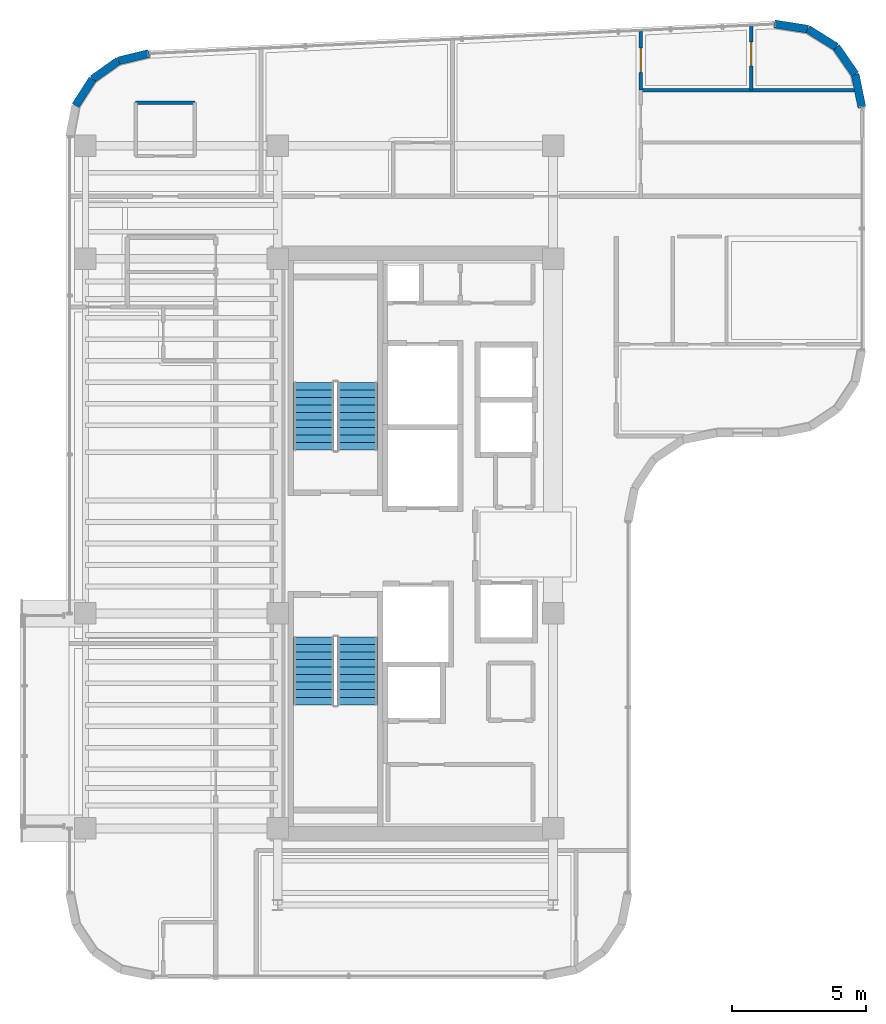
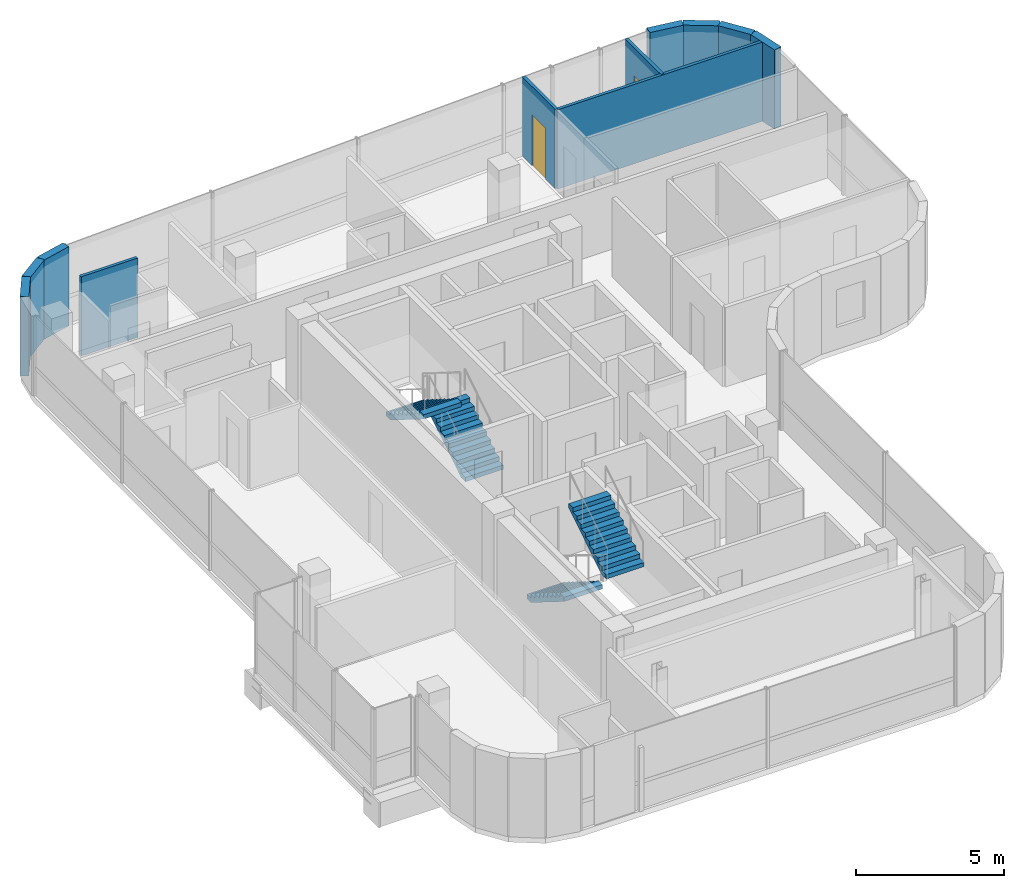
# One storey, part 17 of 19: 11 walls, 4 stair flights, 2 doors, 2 openings, 2 elements without a shape of their own.
"""IFC4 building model written with IfcOpenShell, lengths in metres."""

from ifc_helpers import new_model, si_unit, direction, frame, frame_2d, origin, place, context, subcontext, project, spatial, polyline, rectangle, outline, extrude, material, layer, layer_set, type_object, element, fill, aggregate, save


model = new_model("IFC4")

# Units and contexts
model_context = context("Model", 3, precision=1e-05, world=origin(), true_north=direction((0.0, 1.0)))
body_context = subcontext(model_context, "Body", "Model", "MODEL_VIEW")
ifc_project = project(units=[si_unit("LENGTHUNIT", "METRE"), si_unit("AREAUNIT", "SQUARE_METRE"), si_unit("VOLUMEUNIT", "CUBIC_METRE"), si_unit("PLANEANGLEUNIT", "RADIAN"), si_unit("MASSUNIT", "GRAM", prefix="KILO")], contexts=[model_context])

# Site, building, storey
site_placement = place(None, origin())
site = spatial("IfcSite", under=ifc_project, at=site_placement, CompositionType="ELEMENT")
building_placement = place(site_placement, origin())
building = spatial("IfcBuilding", under=site, at=building_placement, Name="Valdorenza Pilgrim Sanctuary Tower", CompositionType="ELEMENT")
storey_placement = place(building_placement, frame((0.0, 0.0, 269.5)))
storey = spatial("IfcBuildingStorey", under=building, at=storey_placement, Name="L70", CompositionType="ELEMENT", Elevation=269.5)

# Walls
ifc_material_1 = material(Name="Honed travertine limestone", Category="masonry")
ifc_layer_1 = layer(ifc_material_1, 0.300048828125, Name="Honed travertine limestone")
ifc_layer_set_1 = layer_set([ifc_layer_1], Name="Honed travertine limestone")
wall_type_1 = type_object("IfcWallType", Name="WAL-EXT-300", PredefinedType="SOLIDWALL", material=ifc_layer_set_1)
wall_1_placement = place(storey_placement, frame((-30.16650390625, 16.29541015625, 0.0), z_axis=(0.0, 0.0, 1.0), x_axis=(0.540842020947, 0.841124193195, 0.0)))
element("IfcWall", 1, at=wall_1_placement, inside=storey, type_object=wall_type_1, Name="L70 Rounded Wind-Corner Stone Pier 3", PredefinedType="SOLIDWALL", context=body_context, shape_type="SweptSolid", body=[
    extrude(rectangle(XDim=1.169189453125, YDim=0.300048828125, at=frame_2d((0.58447265625, 0.0))), origin(), (0.0, 0.0, 1.0), 3.260009765625),
])
wall_2_placement = place(storey_placement, frame((-29.5341796875, 17.27880859375, 0.0), z_axis=(0.0, 0.0, 1.0), x_axis=(0.81466371606, 0.579933642527, 0.0)))
element("IfcWall", 2, at=wall_2_placement, inside=storey, type_object=wall_type_1, Name="L70 Rounded Wind-Corner Stone Pier 4", PredefinedType="SOLIDWALL", context=body_context, shape_type="SweptSolid", body=[
    extrude(rectangle(XDim=1.1689453125, YDim=0.300048828125, at=frame_2d((0.58447265625, 0.0))), origin(), (0.0, 0.0, 1.0), 3.260009765625),
])
wall_3_placement = place(storey_placement, frame((-28.581787109375, 17.956787109375, 0.0), z_axis=(0.0, 0.0, 1.0), x_axis=(0.971929016595, 0.235274279725, 0.0)))
element("IfcWall", 3, at=wall_3_placement, inside=storey, type_object=wall_type_1, Name="L70 Rounded Wind-Corner Stone Pier 5", PredefinedType="SOLIDWALL", context=body_context, shape_type="SweptSolid", body=[
    extrude(rectangle(XDim=1.179931640625, YDim=0.300048828125, at=frame_2d((0.58984375, 0.0))), origin(), (0.0, 0.0, 1.0), 3.260009765625),
])
wall_4_placement = place(storey_placement, frame((-4.15673828125, 19.331787109375, 0.0), z_axis=(0.0, 0.0, 1.0), x_axis=(0.987969236552, -0.15465053387, 0.0)))
element("IfcWall", 4, at=wall_4_placement, inside=storey, type_object=wall_type_1, Name="L70 Rounded Wind-Corner Stone Pier 7", PredefinedType="SOLIDWALL", context=body_context, shape_type="SweptSolid", body=[
    extrude(rectangle(XDim=1.251953125, YDim=0.300048828125, at=frame_2d((0.6259765625, 0.0))), origin(), (0.0, 0.0, 1.0), 3.260009765625),
])
for number, where, z_axis, x_axis, name in (
    (5, (-2.919921875, 19.13818359375, 0.0), (0.0, 0.0, 1.0), (0.847489288141, -0.530812496543, 0.0), "L70 Rounded Wind-Corner Stone Pier 8"),
    (6, (-1.86865234375, 18.479736328125, 0.0), (0.0, 0.0, 1.0), (0.570181861951, -0.821518499063, 0.0), "L70 Rounded Wind-Corner Stone Pier 9"),
):
    element("IfcWall", number, at=place(storey_placement, frame(where, z_axis=z_axis, x_axis=x_axis)), inside=storey, type_object=wall_type_1, Name=name, PredefinedType="SOLIDWALL", context=body_context, shape_type="SweptSolid", body=[
        extrude(rectangle(XDim=1.240478515625, YDim=0.300048828125, at=frame_2d((0.6201171875, 0.0))), origin(), (0.0, 0.0, 1.0), 3.260009765625),
    ])
wall_5_placement = place(storey_placement, frame((-1.161376953125, 17.460693359375, 0.0), z_axis=(0.0, 0.0, 1.0), x_axis=(0.20087696073, -0.979616479367, 0.0)))
element("IfcWall", 7, at=wall_5_placement, inside=storey, type_object=wall_type_1, Name="L70 Rounded Wind-Corner Stone Pier 10", PredefinedType="SOLIDWALL", context=body_context, shape_type="SweptSolid", body=[
    extrude(rectangle(XDim=1.251953125, YDim=0.300048828125, at=frame_2d((0.6259765625, 0.0))), origin(), (0.0, 0.0, 1.0), 3.260009765625),
])
ifc_material_2 = material(Name="Moisture-resistant gypsum partition", Category="gypsum")
ifc_layer_2 = layer(ifc_material_2, 0.1201171875, Name="Moisture-resistant gypsum partition")
ifc_layer_set_2 = layer_set([ifc_layer_2], Name="Moisture-resistant gypsum partition")
wall_type_2 = type_object("IfcWallType", Name="WAL-INT-120", PredefinedType="PARTITIONING", material=ifc_layer_set_2)
wall_6_placement = place(storey_placement, frame((-27.929931640625, 16.404052734375, 0.0), z_axis=(0.0, 0.0, 1.0), x_axis=(1.0, 0.0, 0.0)))
element("IfcWall", 8, at=wall_6_placement, inside=storey, type_object=wall_type_2, Name="L70 North Family Guest Room L70-N1A En-suite Back Wall", PredefinedType="PARTITIONING", context=body_context, shape_type="SweptSolid", body=[
    extrude(rectangle(XDim=2.199951171875, YDim=0.1201171875, at=frame_2d((1.10009765625, 0.0))), origin(), (0.0, 0.0, 1.0), 3.260009765625),
])
wall_7_placement = place(storey_placement, frame((-9.1396484375, 16.8701171875, 0.0), z_axis=(0.0, 0.0, 1.0), x_axis=(1.0, 0.0, 0.0)))
element("IfcWall", 9, at=wall_7_placement, inside=storey, type_object=wall_type_2, Name="L70 North Family Flat L70-N2 Kitchen-Bedroom Wall", PredefinedType="PARTITIONING", context=body_context, shape_type="SweptSolid", body=[
    extrude(rectangle(XDim=7.9716796875, YDim=0.1201171875, at=frame_2d((3.98583984375, 0.0))), origin(), (0.0, 0.0, 1.0), 3.260009765625),
])

# Wall, opening, door
wall_8_placement = place(storey_placement, frame((-9.1396484375, 16.8701171875, 0.0), z_axis=(0.0, 0.0, 1.0), x_axis=(0.0, 1.0, 0.0)))
wall_8 = element("IfcWall", 10, at=wall_8_placement, inside=storey, type_object=wall_type_2, Name="L70 North Family Flat L70-N2 Bedroom Door Wall", PredefinedType="PARTITIONING", context=body_context, shape_type="SweptSolid", body=[
    extrude(rectangle(XDim=2.2265625, YDim=0.1201171875, at=frame_2d((1.11328125, 0.0))), origin(), (0.0, 0.0, 1.0), 3.260009765625),
])
opening_1_placement = place(wall_8_placement, frame((0.6630859375, 0.0, 0.0)))
opening_1 = element("IfcOpeningElement", 11, at=opening_1_placement, cuts=wall_8, Name="Opening DR-RM1", PredefinedType="OPENING", context=body_context, shape_type="SweptSolid", body=[
    extrude(rectangle(XDim=0.89990234375, YDim=2.10009765625, at=frame_2d((0.449951171875, 1.050048828125))), frame((0.0, 0.074951171875, 0.0), z_axis=(0.0, -1.0, 0.0), x_axis=(1.0, 0.0, 0.0)), (0.0, 0.0, 1.0), 0.14990234375),
])
ifc_material_3 = material(Name="Solid-core European oak timber", Category="wood")
door_type = type_object("IfcDoorType", Name="DR-ROOM-900", OperationType="NOTDEFINED", PredefinedType="DOOR", material=ifc_material_3)
door_1_placement = place(opening_1_placement, origin())
door_1 = element("IfcDoor", 12, at=door_1_placement, inside=storey, type_object=door_type, Name="L70 North Family Flat L70-N2 Bedroom 1 Door", OperationType="SINGLE_SWING_RIGHT", OverallHeight=2.10009765625, OverallWidth=0.89990234375, PredefinedType="DOOR", context=body_context, shape_type="SweptSolid", body=[
    extrude(rectangle(XDim=0.89990234375, YDim=2.10009765625, at=frame_2d((0.449951171875, 1.050048828125))), frame((0.0, 0.02490234375, 0.0), z_axis=(0.0, -1.0, 0.0), x_axis=(1.0, 0.0, 0.0)), (0.0, 0.0, 1.0), 0.050048828125),
])
fill(opening_1, door_1)

wall_9_placement = place(storey_placement, frame((-5.02490234375, 16.8701171875, 0.0), z_axis=(0.0, 0.0, 1.0), x_axis=(0.0, 1.0, 0.0)))
wall_9 = element("IfcWall", 13, at=wall_9_placement, inside=storey, type_object=wall_type_2, Name="L70 North Family Flat L70-N2 Bedroom 2 Wall", PredefinedType="PARTITIONING", context=body_context, shape_type="SweptSolid", body=[
    extrude(rectangle(XDim=2.420654296875, YDim=0.1201171875, at=frame_2d((1.21044921875, 0.0))), origin(), (0.0, 0.0, 1.0), 3.260009765625),
])
opening_2_placement = place(wall_9_placement, frame((0.89990234375, 0.0, 0.0)))
opening_2 = element("IfcOpeningElement", 14, at=opening_2_placement, cuts=wall_9, Name="Opening DR-RM1", PredefinedType="OPENING", context=body_context, shape_type="SweptSolid", body=[
    extrude(rectangle(XDim=0.89990234375, YDim=2.10009765625, at=frame_2d((0.449951171875, 1.050048828125))), frame((0.0, 0.074951171875, 0.0), z_axis=(0.0, -1.0, 0.0), x_axis=(1.0, 0.0, 0.0)), (0.0, 0.0, 1.0), 0.14990234375),
])
door_2_placement = place(opening_2_placement, frame((0.89990234375, 0.0, 0.0), z_axis=(0.0, 0.0, 1.0), x_axis=(-1.0, 0.0, 0.0)))
door_2 = element("IfcDoor", 15, at=door_2_placement, inside=storey, type_object=door_type, Name="L70 North Family Flat L70-N2 Bedroom 2 Door", OperationType="SINGLE_SWING_LEFT", OverallHeight=2.10009765625, OverallWidth=0.89990234375, PredefinedType="DOOR", context=body_context, shape_type="SweptSolid", body=[
    extrude(rectangle(XDim=0.89990234375, YDim=2.10009765625, at=frame_2d((0.449951171875, 1.050048828125))), frame((0.0, 0.02490234375, 0.0), z_axis=(0.0, -1.0, 0.0), x_axis=(1.0, 0.0, 0.0)), (0.0, 0.0, 1.0), 0.050048828125),
])
fill(opening_2, door_2)

# Stair, stair flights
ifc_material_4 = material(Name="Concrete C40/50", Category="concrete")
stair_type = type_object("IfcStairType", Name="STR-DOG-CORE", PredefinedType="HALF_TURN_STAIR", material=ifc_material_4)
stair_1_placement = place(storey_placement, origin())
stair_1 = element("IfcStair", 16, at=stair_1_placement, inside=storey, type_object=stair_type, Name="L70 ST-A1", PredefinedType="HALF_TURN_STAIR")
stair_flight_type = type_object("IfcStairFlightType", Name="STF-RC-1400", PredefinedType="STRAIGHT", material=ifc_material_4)
stair_flight_1_placement = place(storey_placement, frame((-19.679931640625, 3.47998046875, 0.0), z_axis=(0.0, 0.0, 1.0), x_axis=(0.0, 1.0, 0.0)))
stair_flight_1 = element("IfcStairFlight", 17, at=stair_flight_1_placement, type_object=stair_flight_type, Name="ST-A1 flight 1", NumberOfRisers=10, NumberOfTreads=9, PredefinedType="STRAIGHT", RiserHeight=0.175, TreadLength=0.28, context=body_context, shape_type="SweptSolid", body=[
    extrude(outline(polyline([(0.0, 0.0), (0.0, 0.175048828125), (0.280029296875, 0.175048828125), (0.280029296875, 0.35009765625), (0.56005859375, 0.35009765625), (0.56005859375, 0.52490234375), (0.840087890625, 0.52490234375), (0.840087890625, 0.699951171875), (1.1201171875, 0.699951171875), (1.1201171875, 0.875), (1.39990234375, 0.875), (1.39990234375, 1.050048828125), (1.679931640625, 1.050048828125), (1.679931640625, 1.22509765625), (1.9599609375, 1.22509765625), (1.9599609375, 1.39990234375), (2.239990234375, 1.39990234375), (2.239990234375, 1.574951171875), (2.52001953125, 1.574951171875), (2.52001953125, 1.75), (2.52001953125, 1.398193359375), (0.28271484375, 0.0), (0.0, 0.0)])), frame((0.0, 0.739990234375, 0.0), z_axis=(0.0, -1.0, 0.0), x_axis=(1.0, 0.0, 0.0)), (0.0, 0.0, 1.0), 1.47998046875),
])
stair_flight_2_placement = place(storey_placement, frame((-21.31005859375, 6.0, 1.75), z_axis=(0.0, 0.0, 1.0), x_axis=(0.0, -1.0, 0.0)))
stair_flight_2 = element("IfcStairFlight", 18, at=stair_flight_2_placement, type_object=stair_flight_type, Name="ST-A1 flight 2", NumberOfRisers=10, NumberOfTreads=9, PredefinedType="STRAIGHT", RiserHeight=0.175, TreadLength=0.28, context=body_context, shape_type="SweptSolid", body=[
    extrude(outline(polyline([(0.0, 0.0), (0.0, 0.175048828125), (0.280029296875, 0.175048828125), (0.280029296875, 0.35009765625), (0.56005859375, 0.35009765625), (0.56005859375, 0.52490234375), (0.840087890625, 0.52490234375), (0.840087890625, 0.699951171875), (1.1201171875, 0.699951171875), (1.1201171875, 0.875), (1.39990234375, 0.875), (1.39990234375, 1.050048828125), (1.679931640625, 1.050048828125), (1.679931640625, 1.22509765625), (1.9599609375, 1.22509765625), (1.9599609375, 1.39990234375), (2.239990234375, 1.39990234375), (2.239990234375, 1.574951171875), (2.52001953125, 1.574951171875), (2.52001953125, 1.75), (2.52001953125, 1.398193359375), (0.28271484375, 0.0), (0.0, 0.0)])), frame((0.0, 0.739990234375, 0.0), z_axis=(0.0, -1.0, 0.0), x_axis=(1.0, 0.0, 0.0)), (0.0, 0.0, 1.0), 1.47998046875),
])
aggregate(stair_1, [stair_flight_1, stair_flight_2])

stair_2_placement = place(storey_placement, origin())
stair_2 = element("IfcStair", 19, at=stair_2_placement, inside=storey, type_object=stair_type, Name="L70 ST-A2", PredefinedType="HALF_TURN_STAIR")
stair_flight_3_placement = place(storey_placement, frame((-21.31005859375, -3.47998046875, 0.0), z_axis=(0.0, 0.0, 1.0), x_axis=(0.0, -1.0, 0.0)))
stair_flight_3 = element("IfcStairFlight", 20, at=stair_flight_3_placement, type_object=stair_flight_type, Name="ST-A2 flight 1", NumberOfRisers=10, NumberOfTreads=9, PredefinedType="STRAIGHT", RiserHeight=0.175, TreadLength=0.28, context=body_context, shape_type="SweptSolid", body=[
    extrude(outline(polyline([(0.0, 0.0), (0.0, 0.175048828125), (0.280029296875, 0.175048828125), (0.280029296875, 0.35009765625), (0.56005859375, 0.35009765625), (0.56005859375, 0.52490234375), (0.840087890625, 0.52490234375), (0.840087890625, 0.699951171875), (1.1201171875, 0.699951171875), (1.1201171875, 0.875), (1.39990234375, 0.875), (1.39990234375, 1.050048828125), (1.679931640625, 1.050048828125), (1.679931640625, 1.22509765625), (1.9599609375, 1.22509765625), (1.9599609375, 1.39990234375), (2.239990234375, 1.39990234375), (2.239990234375, 1.574951171875), (2.52001953125, 1.574951171875), (2.52001953125, 1.75), (2.52001953125, 1.398193359375), (0.28271484375, 0.0), (0.0, 0.0)])), frame((0.0, 0.739990234375, 0.0), z_axis=(0.0, -1.0, 0.0), x_axis=(1.0, 0.0, 0.0)), (0.0, 0.0, 1.0), 1.47998046875),
])
stair_flight_4_placement = place(storey_placement, frame((-19.679931640625, -6.0, 1.75), z_axis=(0.0, 0.0, 1.0), x_axis=(0.0, 1.0, 0.0)))
stair_flight_4 = element("IfcStairFlight", 21, at=stair_flight_4_placement, type_object=stair_flight_type, Name="ST-A2 flight 2", NumberOfRisers=10, NumberOfTreads=9, PredefinedType="STRAIGHT", RiserHeight=0.175, TreadLength=0.28, context=body_context, shape_type="SweptSolid", body=[
    extrude(outline(polyline([(0.0, 0.0), (0.0, 0.175048828125), (0.280029296875, 0.175048828125), (0.280029296875, 0.35009765625), (0.56005859375, 0.35009765625), (0.56005859375, 0.52490234375), (0.840087890625, 0.52490234375), (0.840087890625, 0.699951171875), (1.1201171875, 0.699951171875), (1.1201171875, 0.875), (1.39990234375, 0.875), (1.39990234375, 1.050048828125), (1.679931640625, 1.050048828125), (1.679931640625, 1.22509765625), (1.9599609375, 1.22509765625), (1.9599609375, 1.39990234375), (2.239990234375, 1.39990234375), (2.239990234375, 1.574951171875), (2.52001953125, 1.574951171875), (2.52001953125, 1.75), (2.52001953125, 1.398193359375), (0.28271484375, 0.0), (0.0, 0.0)])), frame((0.0, 0.739990234375, 0.0), z_axis=(0.0, -1.0, 0.0), x_axis=(1.0, 0.0, 0.0)), (0.0, 0.0, 1.0), 1.47998046875),
])
aggregate(stair_2, [stair_flight_3, stair_flight_4])

save(model, "model.ifc")
